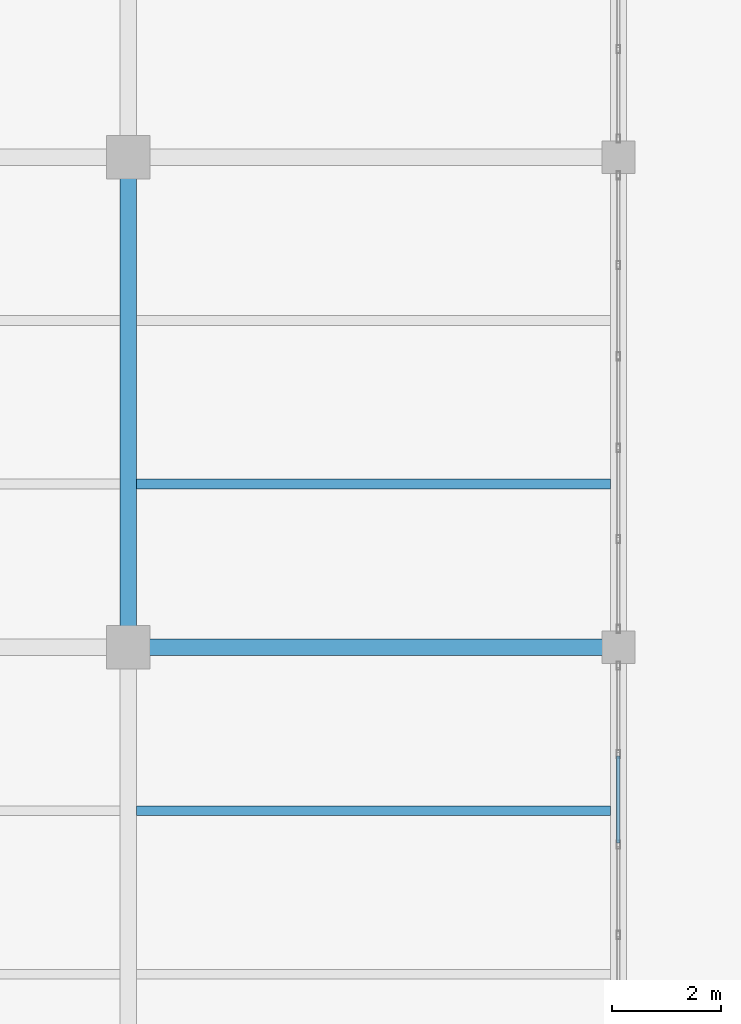
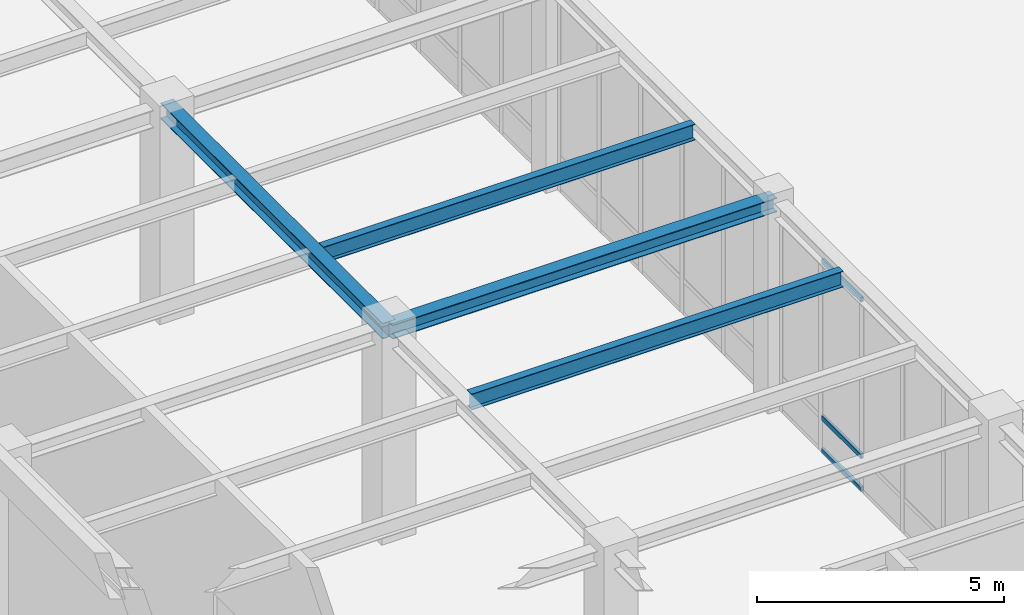
# One storey, part 34 of 77: 4 beams, 3 members, 1 element without a shape of its own.
"""IFC4 building model written with IfcOpenShell, lengths in metres."""

from ifc_helpers import new_model, si_unit, direction, frame, origin, origin_2d, place, context, subcontext, project, spatial, hollow_rectangle, i_section, extrude, material, material_profile, profile_set, type_object, element, aggregate, save


model = new_model("IFC4")

# Units and contexts
model_context = context("Model", 3, precision=1e-05, world=origin(), true_north=direction((0.0, 1.0)))
body_context = subcontext(model_context, "Body", "Model", "MODEL_VIEW")
ifc_project = project(units=[si_unit("LENGTHUNIT", "METRE"), si_unit("AREAUNIT", "SQUARE_METRE"), si_unit("VOLUMEUNIT", "CUBIC_METRE"), si_unit("PLANEANGLEUNIT", "RADIAN"), si_unit("MASSUNIT", "GRAM", prefix="KILO")], contexts=[model_context])

# Site, building, storey
site_placement = place(None, origin())
site = spatial("IfcSite", under=ifc_project, at=site_placement, CompositionType="ELEMENT")
building_placement = place(site_placement, origin())
building = spatial("IfcBuilding", under=site, at=building_placement, Name="Lykobir Media Centre", CompositionType="ELEMENT")
storey_placement = place(building_placement, origin())
storey = spatial("IfcBuildingStorey", under=building, at=storey_placement, Name="L00", CompositionType="ELEMENT", Elevation=0.0)

# Beam
ifc_material_1 = material(Name="Steel S355", Category="steel")
ifc_material_profile_1 = material_profile(ifc_material_1, i_section(OverallWidth=0.300048828125, OverallDepth=0.389892578125, WebThickness=0.010986328125, FlangeThickness=0.01904296875, at=origin_2d()), Name="HEA 400")
ifc_profile_set_1 = profile_set([ifc_material_profile_1], Name="Steel S355")
beam_type_1 = type_object("IfcBeamType", Name="BM-HEA400", PredefinedType="BEAM", material=ifc_profile_set_1)
beam_1_placement = place(storey_placement, frame((99.0, 27.0, 4.965087890625), z_axis=(0.0, 1.0, 0.0), x_axis=(-1.0, 0.0, 0.0)))
element("IfcBeam", 1, at=beam_1_placement, inside=storey, type_object=beam_type_1, Name="Beam BM-L00-0990-0270-0990-0360-496", PredefinedType="BEAM", context=body_context, shape_type="SweptSolid", body=[
    extrude(i_section(OverallWidth=0.300048828125, OverallDepth=0.389892578125, WebThickness=0.010986328125, FlangeThickness=0.01904296875, at=origin_2d()), origin(), (0.0, 0.0, 1.0), 9.0),
])

# Curtain wall, members
ifc_material_2 = material(Name="Anodized Aluminium AW-6060", Category="aluminium")
curtain_wall_type = type_object("IfcCurtainWallType", Name="CW-COURT-A", PredefinedType="NOTDEFINED", material=ifc_material_2)
curtain_wall_placement = place(storey_placement, origin())
curtain_wall = element("IfcCurtainWall", 2, at=curtain_wall_placement, inside=storey, type_object=curtain_wall_type, Name="Curtain wall CW2-L00-0003", PredefinedType="NOTDEFINED")
ifc_material_profile_2 = material_profile(ifc_material_2, hollow_rectangle(XDim=0.06494140625, YDim=0.1201171875, WallThickness=0.0029296875, at=origin_2d()), Name="ALU TRANSOM 65x120")
ifc_profile_set_2 = profile_set([ifc_material_profile_2], Name="Anodized Aluminium AW-6060")
member_type = type_object("IfcMemberType", Name="CWT-120", PredefinedType="USERDEFINED", material=ifc_profile_set_2)
member_1_placement = place(storey_placement, frame((108.0, 25.00439453125, 0.032470703125), z_axis=(0.0, -1.0, 0.0), x_axis=(1.0, 0.0, 0.0)))
member_1 = element("IfcMember", 3, at=member_1_placement, type_object=member_type, Name="CW2-L00-0003 transom 2.1", ObjectType="TRANSOM", PredefinedType="USERDEFINED", context=body_context, shape_type="SweptSolid", body=[
    extrude(hollow_rectangle(XDim=0.06494140625, YDim=0.1201171875, WallThickness=0.0029296875, at=origin_2d()), origin(), (0.0, 0.0, 1.0), 1.5927734375),
])
member_2_placement = place(storey_placement, frame((108.0, 25.00439453125, 0.85009765625), z_axis=(0.0, -1.0, 0.0), x_axis=(1.0, 0.0, 0.0)))
member_2 = element("IfcMember", 4, at=member_2_placement, type_object=member_type, Name="CW2-L00-0003 transom 2.2", ObjectType="TRANSOM", PredefinedType="USERDEFINED", context=body_context, shape_type="SweptSolid", body=[
    extrude(hollow_rectangle(XDim=0.06494140625, YDim=0.1201171875, WallThickness=0.0029296875, at=origin_2d()), origin(), (0.0, 0.0, 1.0), 1.5927734375),
])
member_3_placement = place(storey_placement, frame((108.0, 25.00439453125, 4.720458984375), z_axis=(0.0, -1.0, 0.0), x_axis=(1.0, 0.0, 0.0)))
member_3 = element("IfcMember", 5, at=member_3_placement, type_object=member_type, Name="CW2-L00-0003 transom 2.3", ObjectType="TRANSOM", PredefinedType="USERDEFINED", context=body_context, shape_type="SweptSolid", body=[
    extrude(hollow_rectangle(XDim=0.06494140625, YDim=0.1201171875, WallThickness=0.0029296875, at=origin_2d()), origin(), (0.0, 0.0, 1.0), 1.5927734375),
])
aggregate(curtain_wall, [member_1, member_2, member_3])

# Beams
ifc_material_profile_3 = material_profile(ifc_material_1, i_section(OverallWidth=0.179931640625, OverallDepth=0.39990234375, WebThickness=0.008544921875, FlangeThickness=0.013427734375, at=origin_2d()), Name="IPE 400")
ifc_profile_set_3 = profile_set([ifc_material_profile_3], Name="Steel S355")
beam_type_2 = type_object("IfcBeamType", Name="JS-IPE400", PredefinedType="JOIST", material=ifc_profile_set_3)
for number, where, z_axis, x_axis, name in (
    (6, (99.14990234375, 24.0, 4.97998046875), (1.0, 0.0, 0.0), (0.0, 1.0, 0.0), "Beam BM-L00-0992-0240-1078-0240-498"),
    (7, (99.14990234375, 30.0, 4.97998046875), (1.0, 0.0, 0.0), (0.0, 1.0, 0.0), "Beam BM-L00-0992-0300-1078-0300-498"),
):
    element("IfcBeam", number, at=place(storey_placement, frame(where, z_axis=z_axis, x_axis=x_axis)), inside=storey, type_object=beam_type_2, Name=name, PredefinedType="JOIST", context=body_context, shape_type="SweptSolid", body=[
        extrude(i_section(OverallWidth=0.179931640625, OverallDepth=0.39990234375, WebThickness=0.008544921875, FlangeThickness=0.013427734375, at=origin_2d()), origin(), (0.0, 0.0, 1.0), 8.7001953125),
    ])
ifc_material_profile_4 = material_profile(ifc_material_1, i_section(OverallWidth=0.300048828125, OverallDepth=0.35009765625, WebThickness=0.010009765625, FlangeThickness=0.017578125, at=origin_2d()), Name="HEA 360")
ifc_profile_set_4 = profile_set([ifc_material_profile_4], Name="Steel S355")
beam_type_3 = type_object("IfcBeamType", Name="SP-HEA360", PredefinedType="SPANDREL", material=ifc_profile_set_4)
beam_2_placement = place(storey_placement, frame((99.0, 27.0, 4.98291015625), z_axis=(1.0, 0.0, 0.0), x_axis=(0.0, 1.0, 0.0)))
element("IfcBeam", 8, at=beam_2_placement, inside=storey, type_object=beam_type_3, Name="Beam BM-L00-0990-0270-1080-0270-500", PredefinedType="SPANDREL", context=body_context, shape_type="SweptSolid", body=[
    extrude(i_section(OverallWidth=0.300048828125, OverallDepth=0.35009765625, WebThickness=0.010009765625, FlangeThickness=0.017578125, at=origin_2d()), origin(), (0.0, 0.0, 1.0), 9.0),
])

save(model, "model.ifc")
